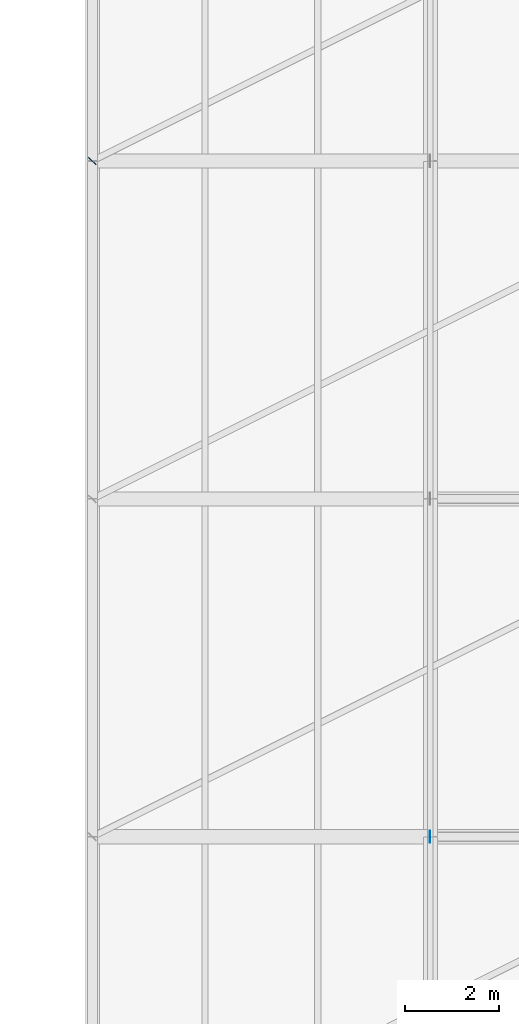
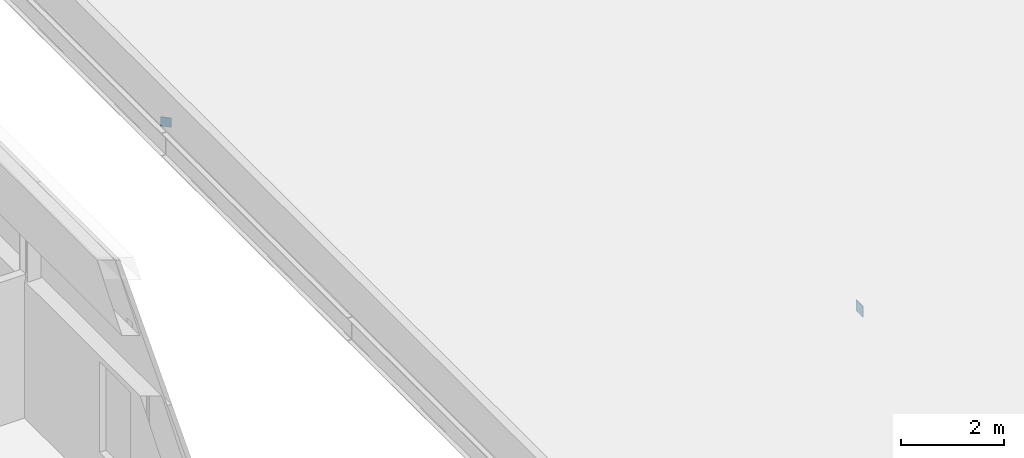
# One storey, part 27 of 44: 2 plates.
"""IFC4 building model written with IfcOpenShell, lengths in metres."""

from ifc_helpers import new_model, si_unit, direction, frame, origin, origin_2d, place, context, subcontext, project, spatial, rectangle, extrude, material, layer, layer_set, type_object, element, save


model = new_model("IFC4")

# Units and contexts
model_context = context("Model", 3, precision=1e-05, world=origin(), true_north=direction((0.0, 1.0)))
body_context = subcontext(model_context, "Body", "Model", "MODEL_VIEW")
ifc_project = project(units=[si_unit("LENGTHUNIT", "METRE"), si_unit("AREAUNIT", "SQUARE_METRE"), si_unit("VOLUMEUNIT", "CUBIC_METRE"), si_unit("PLANEANGLEUNIT", "RADIAN"), si_unit("MASSUNIT", "GRAM", prefix="KILO")], contexts=[model_context])

# Site, building, storey
site_placement = place(None, origin())
site = spatial("IfcSite", under=ifc_project, at=site_placement, CompositionType="ELEMENT")
building_placement = place(site_placement, origin())
building = spatial("IfcBuilding", under=site, at=building_placement, Name="Narikvali Park Central Library", CompositionType="ELEMENT")
storey_placement = place(building_placement, frame((0.0, 0.0, 22.800048828125)))
storey = spatial("IfcBuildingStorey", under=building, at=storey_placement, Name="L05", CompositionType="ELEMENT", Elevation=22.800048828125)

# Plates
ifc_material = material(Name="Steel S355", Category="steel")
ifc_layer = layer(ifc_material, 0.013916015625, Name="Steel S355")
ifc_layer_set = layer_set([ifc_layer], Name="Steel S355")
plate_type = type_object("IfcPlateType", Name="Steel Hollow End Cap Plate 14", PredefinedType="SHEET", material=ifc_layer_set)
plate_1_placement = place(storey_placement, frame((35.99609375, 72.0, 1.669921875), z_axis=(0.0, 0.0, 1.0), x_axis=(-1.0, 0.0, 0.0)))
element("IfcPlate", 1, at=plate_1_placement, inside=storey, type_object=plate_type, Name="Hollow Section Steel End Cap V4-CTCAP-W-2", PredefinedType="SHEET", context=body_context, shape_type="SweptSolid", body=[
    extrude(rectangle(XDim=0.013916015625, YDim=0.260009765625, at=origin_2d()), origin(), (0.0, 0.0, 1.0), 0.260009765625),
])
plate_2_placement = place(storey_placement, frame((28.797607421875, 86.397705078125, -0.1123046875), z_axis=(0.0, 0.0, 1.0), x_axis=(-0.707106781187, 0.707106781187, 0.0)))
element("IfcPlate", 2, at=plate_2_placement, inside=storey, type_object=plate_type, Name="Hollow Section Steel End Cap V4-WBCAP-0-4", PredefinedType="SHEET", context=body_context, shape_type="SweptSolid", body=[
    extrude(rectangle(XDim=0.219970703125, YDim=0.013916015625, at=origin_2d()), origin(), (0.0, 0.0, 1.0), 0.219970703125),
])

save(model, "model.ifc")
